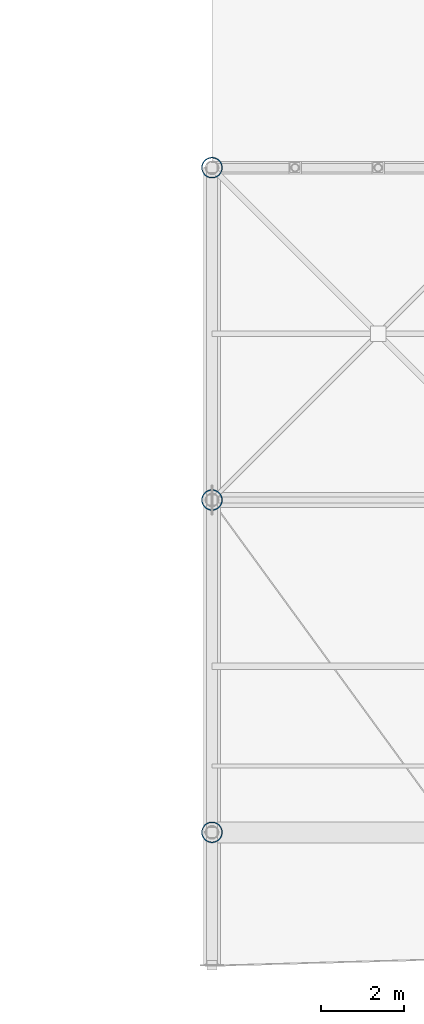
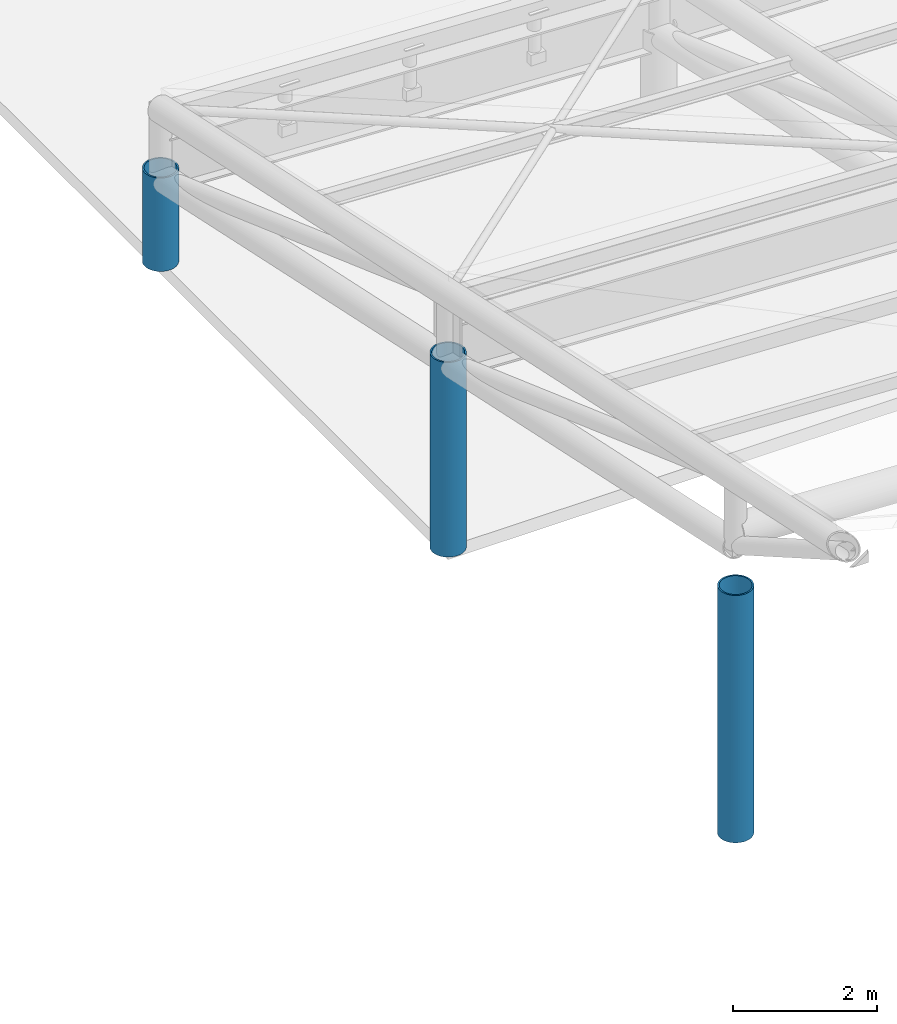
# One storey, part 5 of 54: 3 columns.
"""IFC4 building model written with IfcOpenShell, lengths in metres."""

from ifc_helpers import new_model, si_unit, direction, frame, origin, origin_2d, place, context, subcontext, project, spatial, hollow_circle, extrude, material, material_profile, profile_set, type_object, element, save


model = new_model("IFC4")

# Units and contexts
model_context = context("Model", 3, precision=1e-05, world=origin(), true_north=direction((0.0, 1.0)))
body_context = subcontext(model_context, "Body", "Model", "MODEL_VIEW")
ifc_project = project(units=[si_unit("LENGTHUNIT", "METRE"), si_unit("AREAUNIT", "SQUARE_METRE"), si_unit("VOLUMEUNIT", "CUBIC_METRE"), si_unit("PLANEANGLEUNIT", "RADIAN"), si_unit("MASSUNIT", "GRAM", prefix="KILO")], contexts=[model_context])

# Site, building, storey
site_placement = place(None, origin())
site = spatial("IfcSite", under=ifc_project, at=site_placement, CompositionType="ELEMENT")
building_placement = place(site_placement, origin())
building = spatial("IfcBuilding", under=site, at=building_placement, Name="Haebicheon Civic Stadium", CompositionType="ELEMENT")
storey_placement = place(building_placement, frame((0.0, 0.0, 22.800048828125)))
storey = spatial("IfcBuildingStorey", under=building, at=storey_placement, Name="L06", CompositionType="ELEMENT", Elevation=22.800048828125)

# Columns
ifc_material = material(Name="White painted steel SM490", Category="steel")
ifc_material_profile = material_profile(ifc_material, hollow_circle(Radius=0.25390625, WallThickness=0.02490234375, at=origin_2d()), Name="CHS-508.0x25.0")
ifc_profile_set = profile_set([ifc_material_profile], Name="White painted steel SM490")
column_type = type_object("IfcColumnType", Name="COL-ST-CHS508", PredefinedType="COLUMN", material=ifc_profile_set)
column_1_placement = place(storey_placement, frame((80.0, 160.0, 0.0), z_axis=(0.0, 0.0, 1.0), x_axis=(1.0, 0.0, 0.0)))
element("IfcColumn", 1, at=column_1_placement, inside=storey, type_object=column_type, material=ifc_profile_set, Name="Bowl/canopy support column 80/160 (L06)", PredefinedType="COLUMN", context=body_context, shape_type="SweptSolid", body=[
    extrude(hollow_circle(Radius=0.25390625, WallThickness=0.02490234375, at=origin_2d()), origin(), (0.0, 0.0, 1.0), 1.5869140625),
])
column_2_placement = place(storey_placement, frame((80.0, 152.0, 0.0), z_axis=(0.0, 0.0, 1.0), x_axis=(1.0, 0.0, 0.0)))
element("IfcColumn", 2, at=column_2_placement, inside=storey, type_object=column_type, material=ifc_profile_set, Name="Bowl/canopy support column 80/152 (L06)", PredefinedType="COLUMN", context=body_context, shape_type="SweptSolid", body=[
    extrude(hollow_circle(Radius=0.25390625, WallThickness=0.02490234375, at=origin_2d()), origin(), (0.0, 0.0, 1.0), 3.306884765625),
])
column_3_placement = place(storey_placement, frame((80.0, 144.0, 0.0), z_axis=(0.0, 0.0, 1.0), x_axis=(1.0, 0.0, 0.0)))
element("IfcColumn", 3, at=column_3_placement, inside=storey, type_object=column_type, material=ifc_profile_set, Name="Bowl/canopy support column 80/144 (L06)", PredefinedType="COLUMN", context=body_context, shape_type="SweptSolid", body=[
    extrude(hollow_circle(Radius=0.25390625, WallThickness=0.02490234375, at=origin_2d()), origin(), (0.0, 0.0, 1.0), 4.199951171875),
])

save(model, "model.ifc")
